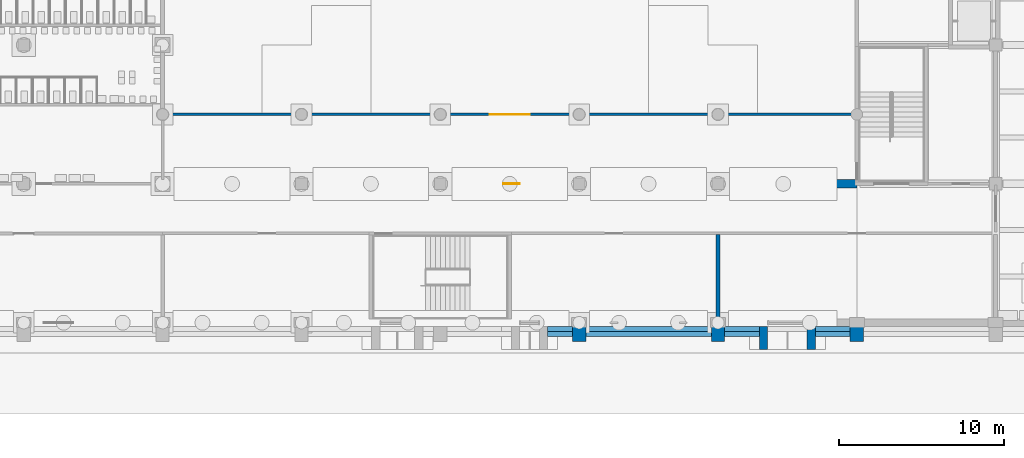
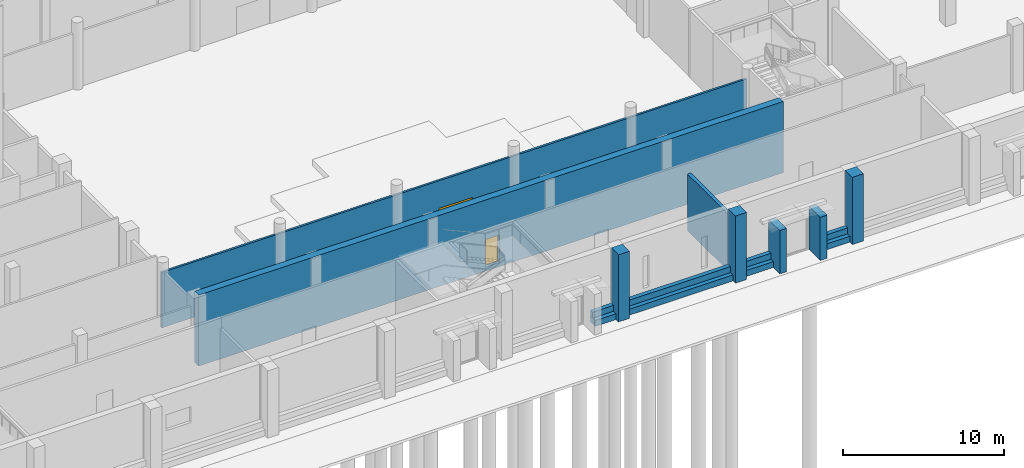
# One storey, part 20 of 74: 16 walls, 2 doors, 2 openings.
"""IFC4 building model written with IfcOpenShell, lengths in metres."""

from ifc_helpers import new_model, si_unit, direction, frame, frame_2d, origin, place, context, subcontext, project, spatial, rectangle, extrude, material, layer, layer_set, type_object, element, fill, save


model = new_model("IFC4")

# Units and contexts
model_context = context("Model", 3, precision=1e-05, world=origin(), true_north=direction((0.0, 1.0)))
body_context = subcontext(model_context, "Body", "Model", "MODEL_VIEW")
ifc_project = project(units=[si_unit("LENGTHUNIT", "METRE"), si_unit("AREAUNIT", "SQUARE_METRE"), si_unit("VOLUMEUNIT", "CUBIC_METRE"), si_unit("PLANEANGLEUNIT", "RADIAN"), si_unit("MASSUNIT", "GRAM", prefix="KILO")], contexts=[model_context])

# Site, building, storey
site_placement = place(None, origin())
site = spatial("IfcSite", under=ifc_project, at=site_placement, CompositionType="ELEMENT")
building_placement = place(site_placement, origin())
building = spatial("IfcBuilding", under=site, at=building_placement, Name="Rulbaag Community and Learning Centre", CompositionType="ELEMENT")
storey_placement = place(building_placement, origin())
storey = spatial("IfcBuildingStorey", under=building, at=storey_placement, Name="L00", CompositionType="ELEMENT", Elevation=0.0)

# Walls
ifc_material_1 = material(Name="Concrete M30", Category="concrete")
ifc_layer_1 = layer(ifc_material_1, 0.25)
ifc_layer_set_1 = layer_set([ifc_layer_1], Name="CW-250 COMPARTMENT WALL 250")
wall_type_1 = type_object("IfcWallType", Name="CW-250 COMPARTMENT WALL 250", PredefinedType="SOLIDWALL", material=ifc_layer_set_1)
wall_1_placement = place(storey_placement, frame((75.60009765625, 0.22509765625, 0.0), z_axis=(0.0, 0.0, 1.0), x_axis=(0.0, 1.0, 0.0)))
element("IfcWall", 1, at=wall_1_placement, inside=storey, type_object=wall_type_1, Name="Fire wall L00 72", PredefinedType="SOLIDWALL", context=body_context, shape_type="SweptSolid", body=[
    extrude(rectangle(XDim=5.099853515625, YDim=0.25, at=frame_2d((2.5498046875, 0.0))), origin(), (0.0, 0.0, 1.0), 4.300048828125),
])
ifc_material_2 = material(Name="Concrete M40", Category="concrete")
ifc_layer_2 = layer(ifc_material_2, 0.800048828125)
ifc_layer_set_2 = layer_set([ifc_layer_2], Name="EW-BTR")
wall_type_2 = type_object("IfcWallType", Name="EW-BTR", PredefinedType="SOLIDWALL", material=ifc_layer_set_2)
for number, where, z_axis, x_axis, name in (
    (2, (67.199951171875, -0.22509765625, 0.0), (0.0, 0.0, 1.0), (0.0, -1.0, 0.0), "Buttress pier"),
    (3, (75.60009765625, -0.22509765625, 0.0), (0.0, 0.0, 1.0), (0.0, -1.0, 0.0), "Buttress pier"),
    (4, (84.0, -0.22509765625, 0.0), (0.0, 0.0, 1.0), (0.0, -1.0, 0.0), "Buttress pier"),
):
    element("IfcWall", number, at=place(storey_placement, frame(where, z_axis=z_axis, x_axis=x_axis)), inside=storey, type_object=wall_type_2, Name=name, PredefinedType="SOLIDWALL", context=body_context, shape_type="SweptSolid", body=[
        extrude(rectangle(XDim=0.89990234375, YDim=0.800048828125, at=frame_2d((0.449951171875, 0.0))), origin(), (0.0, 0.0, 1.0), 5.10009765625),
    ])
ifc_layer_3 = layer(ifc_material_2, 0.5)
ifc_layer_set_3 = layer_set([ifc_layer_3], Name="EW-PJB5")
wall_type_3 = type_object("IfcWallType", Name="EW-PJB5", PredefinedType="SOLIDWALL", material=ifc_layer_set_3)
for number, where, z_axis, x_axis, name in (
    (5, (78.35009765625, -0.22509765625, 0.0), (0.0, 0.0, 1.0), (0.0, -1.0, 0.0), "Portal jamb"),
    (6, (81.25, -0.22509765625, 0.0), (0.0, 0.0, 1.0), (0.0, -1.0, 0.0), "Portal jamb"),
):
    element("IfcWall", number, at=place(storey_placement, frame(where, z_axis=z_axis, x_axis=x_axis)), inside=storey, type_object=wall_type_3, Name=name, PredefinedType="SOLIDWALL", context=body_context, shape_type="SweptSolid", body=[
        extrude(rectangle(XDim=1.39990234375, YDim=0.5, at=frame_2d((0.699951171875, 0.0))), origin(), (0.0, 0.0, 1.0), 3.280029296875),
    ])
ifc_layer_4 = layer(ifc_material_2, 0.60009765625)
ifc_layer_set_4 = layer_set([ifc_layer_4], Name="EW-PLN1")
wall_type_4 = type_object("IfcWallType", Name="EW-PLN1", PredefinedType="SOLIDWALL", material=ifc_layer_set_4)
wall_2_placement = place(storey_placement, frame((65.300048828125, -0.52490234375, 0.0), z_axis=(0.0, 0.0, 1.0), x_axis=(1.0, 0.0, 0.0)))
element("IfcWall", 7, at=wall_2_placement, inside=storey, type_object=wall_type_4, Name="Battered plinth", PredefinedType="SOLIDWALL", context=body_context, shape_type="SweptSolid", body=[
    extrude(rectangle(XDim=1.5, YDim=0.60009765625, at=frame_2d((0.75, 0.0))), origin(), (0.0, 0.0, 1.0), 0.449951171875),
])
wall_3_placement = place(storey_placement, frame((67.60009765625, -0.52490234375, 0.0), z_axis=(0.0, 0.0, 1.0), x_axis=(1.0, 0.0, 0.0)))
element("IfcWall", 8, at=wall_3_placement, inside=storey, type_object=wall_type_4, Name="Battered plinth", PredefinedType="SOLIDWALL", context=body_context, shape_type="SweptSolid", body=[
    extrude(rectangle(XDim=7.599853515625, YDim=0.60009765625, at=frame_2d((3.7998046875, 0.0))), origin(), (0.0, 0.0, 1.0), 0.449951171875),
])
for number, where, z_axis, x_axis, name in (
    (9, (76.0, -0.52490234375, 0.0), (0.0, 0.0, 1.0), (1.0, 0.0, 0.0), "Battered plinth"),
    (10, (81.5, -0.52490234375, 0.0), (0.0, 0.0, 1.0), (1.0, 0.0, 0.0), "Battered plinth"),
):
    element("IfcWall", number, at=place(storey_placement, frame(where, z_axis=z_axis, x_axis=x_axis)), inside=storey, type_object=wall_type_4, Name=name, PredefinedType="SOLIDWALL", context=body_context, shape_type="SweptSolid", body=[
        extrude(rectangle(XDim=2.10009765625, YDim=0.60009765625, at=frame_2d((1.050048828125, 0.0))), origin(), (0.0, 0.0, 1.0), 0.449951171875),
    ])
ifc_layer_5 = layer(ifc_material_2, 0.300048828125)
ifc_layer_set_5 = layer_set([ifc_layer_5], Name="EW-PLN2")
wall_type_5 = type_object("IfcWallType", Name="EW-PLN2", PredefinedType="SOLIDWALL", material=ifc_layer_set_5)
wall_4_placement = place(storey_placement, frame((65.300048828125, -0.375, 0.449951171875), z_axis=(0.0, 0.0, 1.0), x_axis=(1.0, 0.0, 0.0)))
element("IfcWall", 11, at=wall_4_placement, inside=storey, type_object=wall_type_5, Name="Battered plinth", PredefinedType="SOLIDWALL", context=body_context, shape_type="SweptSolid", body=[
    extrude(rectangle(XDim=1.5, YDim=0.300048828125, at=frame_2d((0.75, 0.0))), origin(), (0.0, 0.0, 1.0), 0.449951171875),
])
wall_5_placement = place(storey_placement, frame((67.60009765625, -0.375, 0.449951171875), z_axis=(0.0, 0.0, 1.0), x_axis=(1.0, 0.0, 0.0)))
element("IfcWall", 12, at=wall_5_placement, inside=storey, type_object=wall_type_5, Name="Battered plinth", PredefinedType="SOLIDWALL", context=body_context, shape_type="SweptSolid", body=[
    extrude(rectangle(XDim=7.599853515625, YDim=0.300048828125, at=frame_2d((3.7998046875, 0.0))), origin(), (0.0, 0.0, 1.0), 0.449951171875),
])
for number, where, z_axis, x_axis, name in (
    (13, (76.0, -0.375, 0.449951171875), (0.0, 0.0, 1.0), (1.0, 0.0, 0.0), "Battered plinth"),
    (14, (81.5, -0.375, 0.449951171875), (0.0, 0.0, 1.0), (1.0, 0.0, 0.0), "Battered plinth"),
):
    element("IfcWall", number, at=place(storey_placement, frame(where, z_axis=z_axis, x_axis=x_axis)), inside=storey, type_object=wall_type_5, Name=name, PredefinedType="SOLIDWALL", context=body_context, shape_type="SweptSolid", body=[
        extrude(rectangle(XDim=2.10009765625, YDim=0.300048828125, at=frame_2d((1.050048828125, 0.0))), origin(), (0.0, 0.0, 1.0), 0.449951171875),
    ])

# Wall, opening, door
ifc_material_3 = material(Name="Concrete blockwork", Category="masonry")
ifc_layer_6 = layer(ifc_material_3, 0.14990234375)
ifc_layer_set_6 = layer_set([ifc_layer_6], Name="IP-150 PARTITION 150")
wall_type_6 = type_object("IfcWallType", Name="IP-150 PARTITION 150", PredefinedType="PARTITIONING", material=ifc_layer_set_6)
wall_6_placement = place(storey_placement, frame((41.875, 12.60009765625, 0.0), z_axis=(0.0, 0.0, 1.0), x_axis=(1.0, 0.0, 0.0)))
wall_6 = element("IfcWall", 15, at=wall_6_placement, inside=storey, type_object=wall_type_6, Name="Partition L00 9", PredefinedType="PARTITIONING", context=body_context, shape_type="SweptSolid", body=[
    extrude(rectangle(XDim=42.02490234375, YDim=0.14990234375, at=frame_2d((21.012451171875, 0.0))), origin(), (0.0, 0.0, 1.0), 4.199951171875),
])
opening_1_placement = place(wall_6_placement, frame((19.925048828125, 0.0, 0.0)))
opening_1 = element("IfcOpeningElement", 16, at=opening_1_placement, cuts=wall_6, Name="Opening L00-D068", PredefinedType="OPENING", context=body_context, shape_type="SweptSolid", body=[
    extrude(rectangle(XDim=2.39990234375, YDim=2.10009765625, at=frame_2d((1.199951171875, 1.050048828125))), frame((0.0, 0.0849609375, 0.0), z_axis=(0.0, -1.0, 0.0), x_axis=(1.0, 0.0, 0.0)), (0.0, 0.0, 1.0), 0.169921875),
])
ifc_material_4 = material(Name="Timber", Category="wood")
door_type_1 = type_object("IfcDoorType", Name="DA-2400 ASSEMBLY DOUBLE DOOR 2400 x 2100", OperationType="DOUBLE_DOOR_SINGLE_SWING", PredefinedType="DOOR", material=ifc_material_4)
door_1_placement = place(opening_1_placement, origin())
door_1 = element("IfcDoor", 17, at=door_1_placement, inside=storey, type_object=door_type_1, Name="Door L00-D068", OperationType="DOUBLE_DOOR_SINGLE_SWING", OverallHeight=2.10009765625, OverallWidth=2.39990234375, PredefinedType="DOOR", context=body_context, shape_type="SweptSolid", body=[
    extrude(rectangle(XDim=2.39990234375, YDim=2.10009765625, at=frame_2d((1.199951171875, 1.050048828125))), frame((0.0, 0.02490234375, 0.0), z_axis=(0.0, -1.0, 0.0), x_axis=(1.0, 0.0, 0.0)), (0.0, 0.0, 1.0), 0.050048828125),
])
fill(opening_1, door_1)

ifc_layer_7 = layer(ifc_material_2, 0.5)
ifc_layer_set_7 = layer_set([ifc_layer_7], Name="W13 Shear wall 500 Concrete M40")
wall_type_7 = type_object("IfcWallType", Name="W13 Shear wall 500 Concrete M40", PredefinedType="SHEAR", material=ifc_layer_set_7)
wall_7_placement = place(storey_placement, frame((42.0, 8.39990234375, -0.300048828125), z_axis=(0.0, 0.0, 1.0), x_axis=(1.0, 0.0, 0.0)))
wall_7 = element("IfcWall", 18, at=wall_7_placement, inside=storey, type_object=wall_type_7, Name="WL-XMS-L00", PredefinedType="SHEAR", context=body_context, shape_type="SweptSolid", body=[
    extrude(rectangle(XDim=42.0, YDim=0.5, at=frame_2d((21.0, 0.0))), origin(), (0.0, 0.0, 1.0), 5.400146484375),
])
opening_2_placement = place(wall_7_placement, frame((20.60009765625, 0.0, 0.300048828125)))
opening_2 = element("IfcOpeningElement", 19, at=opening_2_placement, cuts=wall_7, Name="Opening L00-D070", PredefinedType="OPENING", context=body_context, shape_type="SweptSolid", body=[
    extrude(rectangle(XDim=1.0, YDim=2.10009765625, at=frame_2d((0.5, 1.050048828125))), frame((0.0, 0.260009765625, 0.0), z_axis=(0.0, -1.0, 0.0), x_axis=(1.0, 0.0, 0.0)), (0.0, 0.0, 1.0), 0.52001953125),
])
door_type_2 = type_object("IfcDoorType", Name="D-1000 DOOR 1000 x 2100", OperationType="SINGLE_SWING_LEFT", PredefinedType="DOOR", material=ifc_material_4)
door_2_placement = place(opening_2_placement, origin())
door_2 = element("IfcDoor", 20, at=door_2_placement, inside=storey, type_object=door_type_2, Name="Door L00-D070", OperationType="SINGLE_SWING_LEFT", OverallHeight=2.10009765625, OverallWidth=1.0, PredefinedType="DOOR", context=body_context, shape_type="SweptSolid", body=[
    extrude(rectangle(XDim=1.0, YDim=2.10009765625, at=frame_2d((0.5, 1.050048828125))), frame((0.0, 0.02490234375, 0.0), z_axis=(0.0, -1.0, 0.0), x_axis=(1.0, 0.0, 0.0)), (0.0, 0.0, 1.0), 0.050048828125),
])
fill(opening_2, door_2)

save(model, "model.ifc")
